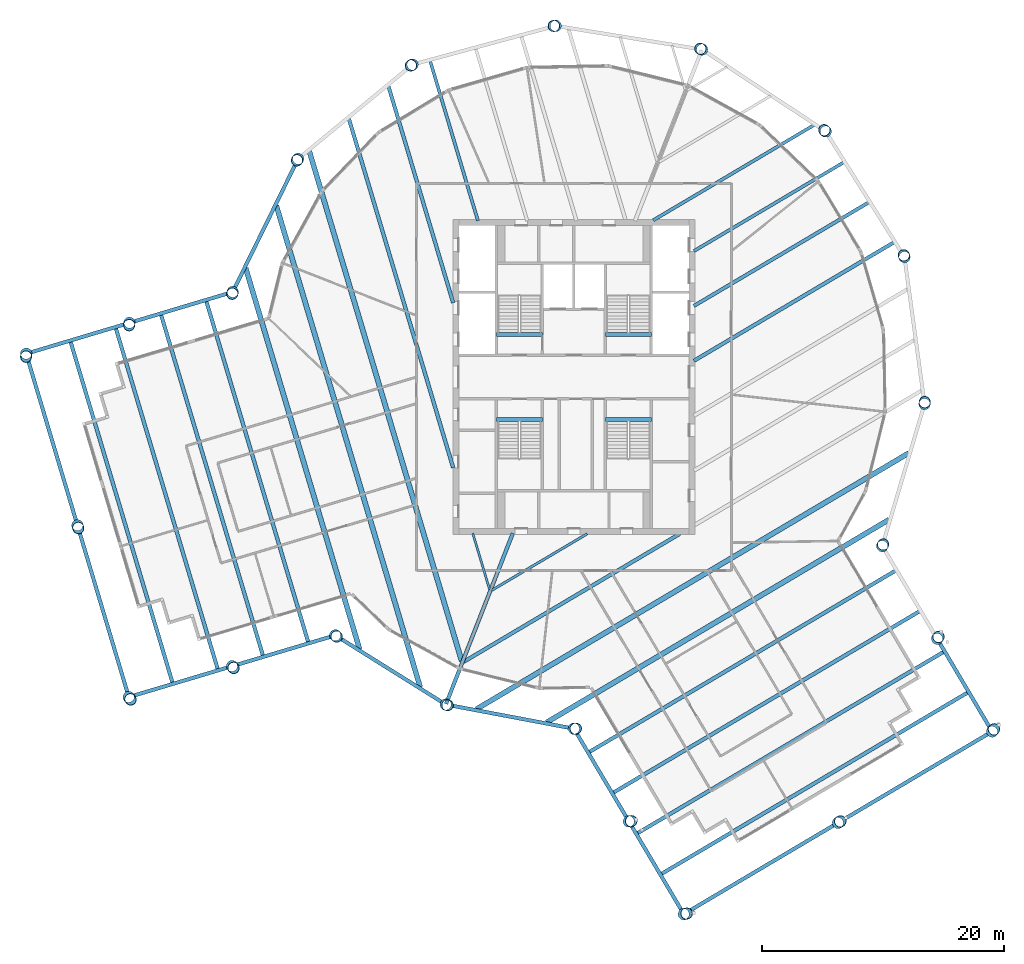
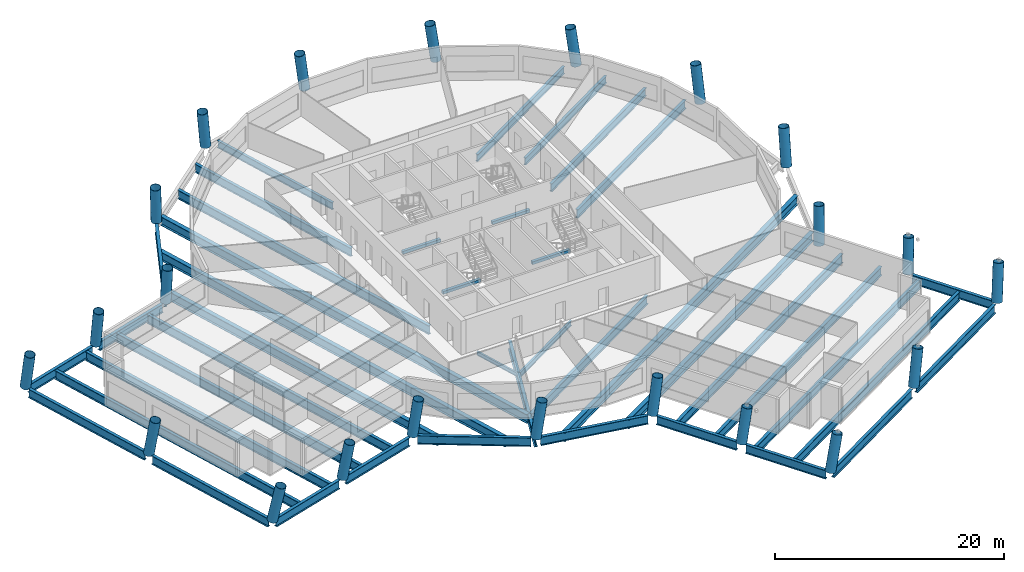
# One storey, part 1 of 11: 42 beams, 22 columns.
"""IFC4 building model written with IfcOpenShell, lengths in metres."""

import ifcopenshell
import ifcopenshell.guid

model = None  # the IFC model being written
_history = None  # IfcOwnerHistory: only IFC2X3 demands one
_inside = {}  # id of a spatial element -> (the spatial element, [elements in it])
_under = {}  # id of a project, library or spatial element -> (it, [spatial elements below it])
_declared = {}  # id of a project -> (the project, [libraries it declares])
_typed = {}  # id of a type object -> (the type object, [elements of that type])
_made_of = {}  # id of a material, layer set ... -> (it, [elements and type objects made of it])


def new_model(schema):
    """Start an empty IFC model of exactly this schema.

    Asked for "IFC4X3", IfcOpenShell would pick the latest addendum, in which some entities
    have other attributes; the version numbers below select the first issue.
    IFC2X3 requires an IfcOwnerHistory on every rooted entity: one is made here for all.
    """
    global model, _history
    if schema == "IFC4X3":
        model = ifcopenshell.file(schema_version=(4, 3, 0, 0))
    else:
        model = ifcopenshell.file(schema=schema)
    _inside.clear()
    _under.clear()
    _declared.clear()
    _typed.clear()
    _made_of.clear()
    _history = None
    if model.schema == "IFC2X3":
        org = make("IfcOrganization", Name="unknown")
        user = make(
            "IfcPersonAndOrganization",
            ThePerson=make("IfcPerson", FamilyName="unknown"),
            TheOrganization=org,
        )
        app = make(
            "IfcApplication",
            ApplicationDeveloper=org,
            Version="unknown",
            ApplicationFullName="unknown",
            ApplicationIdentifier="unknown",
        )
        _history = make(
            "IfcOwnerHistory",
            OwningUser=user,
            OwningApplication=app,
            ChangeAction="ADDED",
            CreationDate=0,
        )
    return model


def make(cls, **values):
    """One entity of the class cls with the attributes given. An attribute that is None is left unset."""
    return model.create_entity(
        cls, **{name: value for name, value in values.items() if value is not None}
    )


def rooted(cls, **values):
    """An entity with a GlobalId (a new one), such as an element, a storey or a relation."""
    return make(cls, GlobalId=ifcopenshell.guid.new(), OwnerHistory=_history, **values)


def si_unit(unit_type, name, prefix=None):
    """IfcSIUnit, for example si_unit("LENGTHUNIT", "METRE", prefix="MILLI")."""
    return make("IfcSIUnit", UnitType=unit_type, Prefix=prefix, Name=name)


def assignment(units):
    """IfcUnitAssignment: the units of a project."""
    return None if units is None else make("IfcUnitAssignment", Units=units)


def point(xyz):
    """IfcCartesianPoint."""
    return None if xyz is None else make("IfcCartesianPoint", Coordinates=xyz)


def direction(xyz):
    """IfcDirection."""
    return None if xyz is None else make("IfcDirection", DirectionRatios=xyz)


def frame(location, z_axis=None, x_axis=None):
    """IfcAxis2Placement3D, a coordinate frame: its origin and axes. An axis left out is left unset."""
    return make(
        "IfcAxis2Placement3D",
        Location=point(location),
        Axis=direction(z_axis),
        RefDirection=direction(x_axis),
    )


def frame_2d(location, x_axis=None):
    """IfcAxis2Placement2D, a coordinate frame in the plane: its origin and x axis."""
    return make(
        "IfcAxis2Placement2D", Location=point(location), RefDirection=direction(x_axis)
    )


def origin():
    """The frame at (0, 0, 0) with its axes left unset."""
    return frame((0.0, 0.0, 0.0))


def origin_2d():
    """The frame at (0, 0) in the plane with its x axis left unset."""
    return frame_2d((0.0, 0.0))


def place(relative_to, where):
    """IfcLocalPlacement: puts the frame where relative to a parent placement (None: the world)."""
    return make(
        "IfcLocalPlacement", PlacementRelTo=relative_to, RelativePlacement=where
    )


def context(
    kind, dimensions, precision=None, world=None, true_north=None, identifier=None
):
    """IfcGeometricRepresentationContext, for example the 3D "Model" context."""
    return make(
        "IfcGeometricRepresentationContext",
        ContextIdentifier=identifier,
        ContextType=kind,
        CoordinateSpaceDimension=dimensions,
        Precision=precision,
        WorldCoordinateSystem=world,
        TrueNorth=true_north,
    )


def subcontext(parent, identifier, kind, view, scale=None):
    """IfcGeometricRepresentationSubContext, for example "Body" below "Model"."""
    return make(
        "IfcGeometricRepresentationSubContext",
        ContextIdentifier=identifier,
        ContextType=kind,
        ParentContext=parent,
        TargetScale=scale,
        TargetView=view,
    )


def project(units=None, contexts=None):
    """IfcProject with its units and contexts."""
    return rooted(
        "IfcProject",
        Name="project",
        RepresentationContexts=contexts,
        UnitsInContext=assignment(units),
    )


def spatial(cls, under=None, at=None, **own):
    """A site, building, storey or space (cls), placed at a placement, below another one or the project."""
    s = rooted(cls, ObjectPlacement=at, **own)
    if under is not None:
        _under.setdefault(under.id(), (under, []))[1].append(s)
    return s


def profile(cls, at=None, kind="AREA", **sizes):
    """A parametric profile (cls). Its sizes go by their IFC names, for example OverallWidth=200.0."""
    return make(cls, ProfileType=kind, Position=at, **sizes)


def rectangle(**sizes):
    """IfcRectangleProfileDef."""
    return profile("IfcRectangleProfileDef", **sizes)


def hollow_circle(**sizes):
    """IfcCircleHollowProfileDef."""
    return profile("IfcCircleHollowProfileDef", **sizes)


def i_section(**sizes):
    """IfcIShapeProfileDef."""
    return profile("IfcIShapeProfileDef", **sizes)


def extrude(swept, where, along, depth):
    """IfcExtrudedAreaSolid: the profile swept, set in the frame where, extruded along a direction by depth."""
    return make(
        "IfcExtrudedAreaSolid",
        SweptArea=swept,
        Position=where,
        ExtrudedDirection=direction(along),
        Depth=depth,
    )


def shape(context_of_items, identifier, shape_type, items):
    """IfcShapeRepresentation: the items that make up one representation, for example the "Body"."""
    return make(
        "IfcShapeRepresentation",
        ContextOfItems=context_of_items,
        RepresentationIdentifier=identifier,
        RepresentationType=shape_type,
        Items=items,
    )


def material(Name=None, Category=None):
    """IfcMaterial."""
    return make("IfcMaterial", Name=Name, Category=Category)


def material_profile(
    of_material, cross_section, Name=None, Category=None, Priority=None
):
    """IfcMaterialProfile: a cross section and its material."""
    return make(
        "IfcMaterialProfile",
        Name=Name,
        Material=of_material,
        Profile=cross_section,
        Priority=Priority,
        Category=Category,
    )


def profile_set(profiles, Name=None, composite=None):
    """IfcMaterialProfileSet."""
    return make(
        "IfcMaterialProfileSet",
        Name=Name,
        MaterialProfiles=profiles,
        CompositeProfile=composite,
    )


def made_of(thing, what):
    """Note that an element or type object is made of a material, layer set ...; save() writes the relation."""
    if what is not None:
        _made_of.setdefault(what.id(), (what, []))[1].append(thing)
    return thing


def type_object(cls, material=None, **own):
    """A type object (cls), such as IfcWallType, which elements share."""
    return made_of(rooted(cls, **own), material)


def element(
    cls,
    number,
    at=None,
    inside=None,
    cuts=None,
    type_object=None,
    material=None,
    context=None,
    identifier="Body",
    shape_type=None,
    held_by="IfcProductDefinitionShape",
    body=None,
    shapes=None,
    **own,
):
    """One element of the class cls, such as IfcWall. Its Tag is "e" and its number.

    at: its placement. inside: the storey or other place that contains it. cuts: it is an
    opening in that element (IfcRelVoidsElement). A single representation is given by context,
    identifier, shape_type and body (its items); several are given by shapes. held_by: the class
    of the entity that holds the representations. save() writes the other relations.
    """
    e = rooted(cls, Tag="e%d" % number, ObjectPlacement=at, **own)
    if body is not None:
        shapes = [shape(context, identifier, shape_type, body)]
    if shapes is not None:
        e.Representation = make(held_by, Representations=shapes)
    if inside is not None:
        _inside.setdefault(inside.id(), (inside, []))[1].append(e)
    if cuts is not None:
        rooted(
            "IfcRelVoidsElement", RelatingBuildingElement=cuts, RelatedOpeningElement=e
        )
    if type_object is not None:
        _typed.setdefault(type_object.id(), (type_object, []))[1].append(e)
    return made_of(e, material)


def aggregate(whole, parts):
    """IfcRelAggregates: a whole, such as a stair, and the parts it consists of."""
    return rooted("IfcRelAggregates", RelatingObject=whole, RelatedObjects=parts)


def save(model, path):
    """Write the relations noted so far, then the file.

    IfcRelAggregates (storeys below a building ...), IfcRelContainedInSpatialStructure (elements
    in a storey), IfcRelDefinesByType, IfcRelAssociatesMaterial and IfcRelDeclares: one each for
    every whole, place, type object, material and project.
    """
    for whole, parts in _under.values():
        aggregate(whole, parts)
    for where, things in _inside.values():
        rooted(
            "IfcRelContainedInSpatialStructure",
            RelatedElements=things,
            RelatingStructure=where,
        )
    for kind, things in _typed.values():
        rooted("IfcRelDefinesByType", RelatedObjects=things, RelatingType=kind)
    for what, things in _made_of.values():
        rooted("IfcRelAssociatesMaterial", RelatedObjects=things, RelatingMaterial=what)
    for by, libraries in _declared.values():
        rooted("IfcRelDeclares", RelatingContext=by, RelatedDefinitions=libraries)
    model.write(path)


model = new_model("IFC4")

# Units and contexts
model_context = context("Model", 3, precision=1e-05, world=origin(), true_north=direction((0.0, 1.0)))
body_context = subcontext(model_context, "Body", "Model", "MODEL_VIEW")
ifc_project = project(units=[si_unit("LENGTHUNIT", "METRE"), si_unit("AREAUNIT", "SQUARE_METRE"), si_unit("VOLUMEUNIT", "CUBIC_METRE"), si_unit("PLANEANGLEUNIT", "RADIAN"), si_unit("MASSUNIT", "GRAM", prefix="KILO")], contexts=[model_context])

# Site, building, storey
site_placement = place(None, origin())
site = spatial("IfcSite", under=ifc_project, at=site_placement, CompositionType="ELEMENT")
building_placement = place(site_placement, origin())
building = spatial("IfcBuilding", under=site, at=building_placement, Name="Tarsis Ring Headquarters", CompositionType="ELEMENT")
storey_placement = place(building_placement, frame((0.0, 0.0, 350.89990234375)))
storey = spatial("IfcBuildingStorey", under=building, at=storey_placement, Name="L83", CompositionType="ELEMENT", Elevation=350.89990234375)

# Columns
ifc_material_1 = material(Name="Structural steel S355", Category="steel")
ifc_material_profile_1 = material_profile(ifc_material_1, hollow_circle(Radius=0.482666015625, WallThickness=0.0400390625, at=origin_2d()), Name="CHS 965x40")
ifc_profile_set_1 = profile_set([ifc_material_profile_1], Name="Structural steel S355")
column_type = type_object("IfcColumnType", Name="XC Exo column CHS 965x40", PredefinedType="COLUMN", material=ifc_profile_set_1)
for number, where, z_axis, x_axis, name in (
    (1, (-10.580078125, -27.05322265625, 0.001220703125), (0.125182025582, -0.047667620493, 0.990988021334), (0.355859916082, 0.934539309032, 0.0), "Exo column XC7 F1"),
    (2, (0.005126953125, -29.048583984375, 0.001220703125), (0.133967407747, 0.001246208444, 0.990984954793), (-0.009301923127, 0.999956736177, 0.0), "Exo column XC7 AK"),
):
    element("IfcColumn", number, at=place(storey_placement, frame(where, z_axis=z_axis, x_axis=x_axis)), inside=storey, type_object=column_type, Name=name, PredefinedType="COLUMN", context=body_context, shape_type="SweptSolid", body=[
        extrude(hollow_circle(Radius=0.482666015625, WallThickness=0.0400390625, at=origin_2d()), origin(), (0.0, 0.0, 1.0), 3.918212890625),
    ])
column_1_placement = place(storey_placement, frame((4.542236328125, -36.707763671875, 0.00146484375), z_axis=(0.16814436029, 0.022347449006, 0.985509038835), x_axis=(-0.131747815947, 0.991283265769, 0.0)))
element("IfcColumn", 3, at=column_1_placement, inside=storey, type_object=column_type, Name="Exo column XC7 AI1", PredefinedType="COLUMN", context=body_context, shape_type="SweptSolid", body=[
    extrude(hollow_circle(Radius=0.482666015625, WallThickness=0.0400390625, at=origin_2d()), origin(), (0.0, 0.0, 1.0), 3.626953125),
])
column_2_placement = place(storey_placement, frame((9.079345703125, -44.3671875, 0.001708984375), z_axis=(0.201656673633, 0.043193806924, 0.978503388355), x_axis=(-0.209444074579, 0.97782062753, 0.0)))
element("IfcColumn", 4, at=column_2_placement, inside=storey, type_object=column_type, Name="Exo column XC7 AT1", PredefinedType="COLUMN", context=body_context, shape_type="SweptSolid", body=[
    extrude(hollow_circle(Radius=0.482666015625, WallThickness=0.0400390625, at=origin_2d()), origin(), (0.0, 0.0, 1.0), 3.803955078125),
])
column_3_placement = place(storey_placement, frame((21.81298828125, -36.824462890625, 0.00146484375), z_axis=(0.167122756197, 0.101122776267, 0.98073654387), x_axis=(-0.517688506636, 0.855569173181, 0.0)))
element("IfcColumn", 5, at=column_3_placement, inside=storey, type_object=column_type, Name="Exo column XC7 AT2", PredefinedType="COLUMN", context=body_context, shape_type="SweptSolid", body=[
    extrude(hollow_circle(Radius=0.482666015625, WallThickness=0.0400390625, at=origin_2d()), origin(), (0.0, 0.0, 1.0), 3.795166015625),
])
column_4_placement = place(storey_placement, frame((34.546630859375, -29.281494140625, 0.001708984375), z_axis=(0.131892253729, 0.158527429056, 0.978505742264), x_axis=(-0.768731244189, 0.639571946076, 0.0)))
element("IfcColumn", 6, at=column_4_placement, inside=storey, type_object=column_type, Name="Exo column XC7 AT3", PredefinedType="COLUMN", context=body_context, shape_type="SweptSolid", body=[
    extrude(hollow_circle(Radius=0.482666015625, WallThickness=0.0400390625, at=origin_2d()), origin(), (0.0, 0.0, 1.0), 3.803955078125),
])
column_5_placement = place(storey_placement, frame((30.009521484375, -21.622314453125, 0.00146484375), z_axis=(0.097940809733, 0.138530141065, 0.985503423538), x_axis=(-0.816537681025, 0.577292140485, 0.0)))
element("IfcColumn", 7, at=column_5_placement, inside=storey, type_object=column_type, Name="Exo column XC7 AO1", PredefinedType="COLUMN", context=body_context, shape_type="SweptSolid", body=[
    extrude(hollow_circle(Radius=0.482666015625, WallThickness=0.0400390625, at=origin_2d()), origin(), (0.0, 0.0, 1.0), 3.524658203125),
])
for number, where, z_axis, x_axis, name in (
    (8, (25.47265625, -13.962890625, 0.001220703125), (0.063307807805, 0.118016720455, 0.990991511146), (-0.88121699644, 0.472711968523, 0.0), "Exo column XC7 AJ"),
    (9, (28.96337890625, -2.22216796875, 0.001220703125), (0.009034950867, 0.13371727283, 0.990978335086), (-0.997725098286, 0.067413857992, 0.0), "Exo column XC7 R1"),
    (10, (27.304443359375, 9.913818359375, 0.001220703125), (-0.046857180165, 0.125554811213, 0.990979512426), (-0.936882134744, -0.349645342594, 0.0), "Exo column XC7 R2"),
    (11, (20.79052734375, 20.287109375, 0.001220703125), (-0.094400665328, 0.095023772029, 0.990988898593), (-0.709428952109, -0.70477695898, 0.0), "Exo column XC7 R3"),
    (12, (10.580078125, 27.05322265625, 0.001220703125), (-0.125182025582, 0.047667620493, 0.990988021334), (-0.355859916082, -0.934539309032, 0.0), "Exo column XC7 R4"),
    (13, (-1.511474609375, 29.00927734375, 0.001220703125), (-0.133779403123, -0.00822490974, 0.99097700385), (0.061365267648, -0.99811537606, 0.0), "Exo column XC7 R5"),
    (14, (-13.33447265625, 25.80712890625, 0.001220703125), (-0.118452361654, -0.062559795424, 0.990987038268), (0.467011247211, -0.884251375446, 0.0), "Exo column XC7 R6"),
    (15, (-22.786376953125, 18.016357421875, 0.001220703125), (-0.082187436521, -0.105803083558, 0.990984829746), (0.789727721562, -0.613457517515, 0.0), "Exo column XC7 R7"),
    (16, (-28.18701171875, 7.0224609375, 0.001220703125), (-0.031155248542, -0.130291249403, 0.990986145623), (0.972581178778, -0.23256364868, 0.0), "Exo column XC7 BJ"),
):
    element("IfcColumn", number, at=place(storey_placement, frame(where, z_axis=z_axis, x_axis=x_axis)), inside=storey, type_object=column_type, Name=name, PredefinedType="COLUMN", context=body_context, shape_type="SweptSolid", body=[
        extrude(hollow_circle(Radius=0.482666015625, WallThickness=0.0400390625, at=origin_2d()), origin(), (0.0, 0.0, 1.0), 3.918212890625),
    ])
column_6_placement = place(storey_placement, frame((-36.71630859375, 4.47314453125, 0.00146484375), z_axis=(-0.018981770923, -0.168602788782, 0.985501289693), x_axis=(0.993722174052, -0.11187600635, 0.0)))
element("IfcColumn", 17, at=column_6_placement, inside=storey, type_object=column_type, Name="Exo column XC7 BO1", PredefinedType="COLUMN", context=body_context, shape_type="SweptSolid", body=[
    extrude(hollow_circle(Radius=0.482666015625, WallThickness=0.0400390625, at=origin_2d()), origin(), (0.0, 0.0, 1.0), 3.935791015625),
])
column_7_placement = place(storey_placement, frame((-45.245849609375, 1.923828125, 0.001708984375), z_axis=(-0.006844382357, -0.206133065045, 0.978500032665), x_axis=(0.999449212231, -0.033185421046, 0.0)))
element("IfcColumn", 18, at=column_7_placement, inside=storey, type_object=column_type, Name="Exo column XC7 BT3", PredefinedType="COLUMN", context=body_context, shape_type="SweptSolid", body=[
    extrude(hollow_circle(Radius=0.482666015625, WallThickness=0.0400390625, at=origin_2d()), origin(), (0.0, 0.0, 1.0), 3.95947265625),
])
column_8_placement = place(storey_placement, frame((-41.007568359375, -12.25634765625, 0.00146484375), z_axis=(0.057638886794, -0.186693157439, 0.980725967686), x_axis=(0.955498284638, 0.294996657699, 0.0)))
element("IfcColumn", 19, at=column_8_placement, inside=storey, type_object=column_type, Name="Exo column XC7 BT2", PredefinedType="COLUMN", context=body_context, shape_type="SweptSolid", body=[
    extrude(hollow_circle(Radius=0.482666015625, WallThickness=0.0400390625, at=origin_2d()), origin(), (0.0, 0.0, 1.0), 3.951904296875),
])
column_9_placement = place(storey_placement, frame((-36.769287109375, -26.4365234375, 0.001708984375), z_axis=(0.121904054204, -0.166361729005, 0.978500473526), x_axis=(0.806623552442, 0.591065516374, 0.0)))
element("IfcColumn", 20, at=column_9_placement, inside=storey, type_object=column_type, Name="Exo column XC7 BT1", PredefinedType="COLUMN", context=body_context, shape_type="SweptSolid", body=[
    extrude(hollow_circle(Radius=0.482666015625, WallThickness=0.0400390625, at=origin_2d()), origin(), (0.0, 0.0, 1.0), 3.95947265625),
])
column_10_placement = place(storey_placement, frame((-28.239990234375, -23.88720703125, 0.00146484375), z_axis=(0.110727370077, -0.128530594285, 0.985504609755), x_axis=(0.757628162351, 0.652686423647, 0.0)))
element("IfcColumn", 21, at=column_10_placement, inside=storey, type_object=column_type, Name="Exo column XC7 BI1", PredefinedType="COLUMN", context=body_context, shape_type="SweptSolid", body=[
    extrude(hollow_circle(Radius=0.482666015625, WallThickness=0.0400390625, at=origin_2d()), origin(), (0.0, 0.0, 1.0), 3.935791015625),
])
column_11_placement = place(storey_placement, frame((-19.710693359375, -21.337890625, 0.001220703125), z_axis=(0.099259968049, -0.090038075223, 0.990979618233), x_axis=(0.67186239856, 0.740675986786, 0.0)))
element("IfcColumn", 22, at=column_11_placement, inside=storey, type_object=column_type, Name="Exo column XC7 BK", PredefinedType="COLUMN", context=body_context, shape_type="SweptSolid", body=[
    extrude(hollow_circle(Radius=0.482666015625, WallThickness=0.0400390625, at=origin_2d()), origin(), (0.0, 0.0, 1.0), 3.918212890625),
])

# Beams
ifc_material_profile_2 = material_profile(ifc_material_1, i_section(OverallWidth=0.177734375, OverallDepth=0.406494140625, WebThickness=0.0078125, FlangeThickness=0.0126953125, at=origin_2d()), Name="W16x40")
ifc_profile_set_2 = profile_set([ifc_material_profile_2], Name="Structural steel S355")
beam_type_1 = type_object("IfcBeamType", Name="FB Floor beam W16x40", PredefinedType="JOIST", material=ifc_profile_set_2)
beam_1_placement = place(storey_placement, frame((-8.354736328125, -12.904296875, -0.363037109375), z_axis=(0.286396823855, -0.95811108922, 0.0), x_axis=(0.95811108922, 0.286396823855, 0.0)))
element("IfcBeam", 23, at=beam_1_placement, inside=storey, type_object=beam_type_1, Name="Floor beam FB1", PredefinedType="JOIST", context=body_context, shape_type="SweptSolid", body=[
    extrude(i_section(OverallWidth=0.177734375, OverallDepth=0.406494140625, WebThickness=0.0078125, FlangeThickness=0.0126953125, at=origin_2d()), origin(), (0.0, 0.0, 1.0), 4.852294921875),
])
ifc_material_profile_3 = material_profile(ifc_material_1, i_section(OverallWidth=0.209228515625, OverallDepth=0.533447265625, WebThickness=0.01025390625, FlangeThickness=0.015625, at=origin_2d()), Name="W21x62")
ifc_profile_set_3 = profile_set([ifc_material_profile_3], Name="Structural steel S355")
beam_type_2 = type_object("IfcBeamType", Name="FB Floor beam W21x62", PredefinedType="JOIST", material=ifc_profile_set_3)
beam_2_placement = place(storey_placement, frame((-6.791259765625, -17.621337890625, -0.426513671875), z_axis=(0.860378901552, 0.509654928126, 0.0), x_axis=(-0.509654928126, 0.860378901552, 0.0)))
element("IfcBeam", 24, at=beam_2_placement, inside=storey, type_object=beam_type_2, Name="Floor beam FB3", PredefinedType="JOIST", context=body_context, shape_type="SweptSolid", body=[
    extrude(i_section(OverallWidth=0.209228515625, OverallDepth=0.533447265625, WebThickness=0.01025390625, FlangeThickness=0.015625, at=origin_2d()), origin(), (0.0, 0.0, 1.0), 9.167724609375),
])
ifc_material_profile_4 = material_profile(ifc_material_1, i_section(OverallWidth=0.2666015625, OverallDepth=0.7568359375, WebThickness=0.013916015625, FlangeThickness=0.019287109375, at=origin_2d()), Name="W30x108")
ifc_profile_set_4 = profile_set([ifc_material_profile_4], Name="Structural steel S355")
beam_type_3 = type_object("IfcBeamType", Name="FB Floor beam W30x108", PredefinedType="JOIST", material=ifc_profile_set_4)
beam_3_placement = place(storey_placement, frame((6.555908203125, 12.948974609375, -0.538330078125), z_axis=(0.860381816983, 0.509650006382, 0.0), x_axis=(-0.509650006382, 0.860381816983, 0.0)))
element("IfcBeam", 25, at=beam_3_placement, inside=storey, type_object=beam_type_3, Name="Floor beam FB6", PredefinedType="JOIST", context=body_context, shape_type="SweptSolid", body=[
    extrude(i_section(OverallWidth=0.2666015625, OverallDepth=0.7568359375, WebThickness=0.013916015625, FlangeThickness=0.019287109375, at=origin_2d()), origin(), (0.0, 0.0, 1.0), 15.45947265625),
])
beam_4_placement = place(storey_placement, frame((9.9140625, 10.4052734375, -0.538330078125), z_axis=(0.860381200067, 0.509651047847, 0.0), x_axis=(-0.509651047847, 0.860381200067, 0.0)))
element("IfcBeam", 26, at=beam_4_placement, inside=storey, type_object=beam_type_3, Name="Floor beam FB6", PredefinedType="JOIST", context=body_context, shape_type="SweptSolid", body=[
    extrude(i_section(OverallWidth=0.2666015625, OverallDepth=0.7568359375, WebThickness=0.013916015625, FlangeThickness=0.019287109375, at=origin_2d()), origin(), (0.0, 0.0, 1.0), 14.416015625),
])
beam_5_placement = place(storey_placement, frame((-11.884033203125, 26.14306640625, -0.538330078125), z_axis=(0.286362157547, -0.958121450926, 0.0), x_axis=(0.958121450926, 0.286362157547, 0.0)))
element("IfcBeam", 27, at=beam_5_placement, inside=storey, type_object=beam_type_3, Name="Floor beam FB6", PredefinedType="JOIST", context=body_context, shape_type="SweptSolid", body=[
    extrude(i_section(OverallWidth=0.2666015625, OverallDepth=0.7568359375, WebThickness=0.013916015625, FlangeThickness=0.019287109375, at=origin_2d()), origin(), (0.0, 0.0, 1.0), 13.8173828125),
])
ifc_material_profile_5 = material_profile(ifc_material_1, i_section(OverallWidth=0.2919921875, OverallDepth=0.835693359375, WebThickness=0.013916015625, FlangeThickness=0.018798828125, at=origin_2d()), Name="W33x118")
ifc_profile_set_5 = profile_set([ifc_material_profile_5], Name="Structural steel S355")
beam_type_4 = type_object("IfcBeamType", Name="FB Floor beam W33x118", PredefinedType="JOIST", material=ifc_profile_set_5)
beam_6_placement = place(storey_placement, frame((9.9140625, 5.87255859375, -0.57763671875), z_axis=(0.860386494523, 0.509642109762, 0.0), x_axis=(-0.509642109762, 0.860386494523, 0.0)))
element("IfcBeam", 28, at=beam_6_placement, inside=storey, type_object=beam_type_4, Name="Floor beam FB7", PredefinedType="JOIST", context=body_context, shape_type="SweptSolid", body=[
    extrude(i_section(OverallWidth=0.2919921875, OverallDepth=0.835693359375, WebThickness=0.013916015625, FlangeThickness=0.018798828125, at=origin_2d()), origin(), (0.0, 0.0, 1.0), 16.827392578125),
])
ifc_material_profile_6 = material_profile(ifc_material_1, i_section(OverallWidth=0.3046875, OverallDepth=0.904296875, WebThickness=0.01513671875, FlangeThickness=0.02001953125, at=origin_2d()), Name="W36x135")
ifc_profile_set_6 = profile_set([ifc_material_profile_6], Name="Structural steel S355")
beam_type_5 = type_object("IfcBeamType", Name="FB Floor beam W36x135", PredefinedType="JOIST", material=ifc_profile_set_6)
beam_7_placement = place(storey_placement, frame((9.9140625, 1.339599609375, -0.612060546875), z_axis=(0.860384897304, 0.509644806204, 0.0), x_axis=(-0.509644806204, 0.860384897304, 0.0)))
element("IfcBeam", 29, at=beam_7_placement, inside=storey, type_object=beam_type_5, Name="Floor beam FB8", PredefinedType="JOIST", context=body_context, shape_type="SweptSolid", body=[
    extrude(i_section(OverallWidth=0.3046875, OverallDepth=0.904296875, WebThickness=0.01513671875, FlangeThickness=0.02001953125, at=origin_2d()), origin(), (0.0, 0.0, 1.0), 19.23876953125),
])
beam_8_placement = place(storey_placement, frame((-9.098388671875, -23.520751953125, -0.612060546875), z_axis=(0.860385961664, 0.509643009343, 0.0), x_axis=(-0.509643009343, 0.860385961664, 0.0)))
element("IfcBeam", 30, at=beam_8_placement, inside=storey, type_object=beam_type_5, Name="Floor beam FB8", PredefinedType="JOIST", context=body_context, shape_type="SweptSolid", body=[
    extrude(i_section(OverallWidth=0.3046875, OverallDepth=0.904296875, WebThickness=0.01513671875, FlangeThickness=0.02001953125, at=origin_2d()), origin(), (0.0, 0.0, 1.0), 20.743408203125),
])
beam_9_placement = place(storey_placement, frame((-15.33642578125, 24.07568359375, -0.612060546875), z_axis=(0.286350698308, -0.958124875775, 0.0), x_axis=(0.958124875775, 0.286350698308, 0.0)))
element("IfcBeam", 31, at=beam_9_placement, inside=storey, type_object=beam_type_5, Name="Floor beam FB8", PredefinedType="JOIST", context=body_context, shape_type="SweptSolid", body=[
    extrude(i_section(OverallWidth=0.3046875, OverallDepth=0.904296875, WebThickness=0.01513671875, FlangeThickness=0.02001953125, at=origin_2d()), origin(), (0.0, 0.0, 1.0), 18.73583984375),
])
ifc_material_profile_7 = material_profile(ifc_material_1, i_section(OverallWidth=0.309814453125, OverallDepth=0.949951171875, WebThickness=0.0244140625, FlangeThickness=0.0439453125, at=origin_2d()), Name="W36x256")
ifc_profile_set_7 = profile_set([ifc_material_profile_7], Name="Structural steel S355")
beam_type_6 = type_object("IfcBeamType", Name="FB Floor beam W36x256", PredefinedType="JOIST", material=ifc_profile_set_7)
for number, where, z_axis, x_axis, name in (
    (32, (1.226806640625, -31.003173828125, -0.635009765625), (0.860387266377, 0.509640806702, 0.0), (-0.509640806702, 0.860387266377, 0.0), "Floor beam FB11"),
    (33, (3.21435546875, -34.358642578125, -0.635009765625), (0.860387266377, 0.509640806702, 0.0), (-0.509640806702, 0.860387266377, 0.0), "Floor beam FB11"),
):
    element("IfcBeam", number, at=place(storey_placement, frame(where, z_axis=z_axis, x_axis=x_axis)), inside=storey, type_object=beam_type_6, Name=name, PredefinedType="JOIST", context=body_context, shape_type="SweptSolid", body=[
        extrude(i_section(OverallWidth=0.309814453125, OverallDepth=0.949951171875, WebThickness=0.0244140625, FlangeThickness=0.0439453125, at=origin_2d()), origin(), (0.0, 0.0, 1.0), 29.489990234375),
    ])
beam_10_placement = place(storey_placement, frame((5.201904296875, -37.71435546875, -0.635009765625), z_axis=(0.860385786522, 0.50964330502, 0.0), x_axis=(-0.50964330502, 0.860385786522, 0.0)))
element("IfcBeam", 34, at=beam_10_placement, inside=storey, type_object=beam_type_6, Name="Floor beam FB11", PredefinedType="JOIST", context=body_context, shape_type="SweptSolid", body=[
    extrude(i_section(OverallWidth=0.309814453125, OverallDepth=0.949951171875, WebThickness=0.0244140625, FlangeThickness=0.0439453125, at=origin_2d()), origin(), (0.0, 0.0, 1.0), 29.490234375),
])
beam_11_placement = place(storey_placement, frame((7.189697265625, -41.06982421875, -0.635009765625), z_axis=(0.860383636227, 0.509646935154, 0.0), x_axis=(-0.509646935154, 0.860383636227, 0.0)))
element("IfcBeam", 35, at=beam_11_placement, inside=storey, type_object=beam_type_6, Name="Floor beam FB11", PredefinedType="JOIST", context=body_context, shape_type="SweptSolid", body=[
    extrude(i_section(OverallWidth=0.309814453125, OverallDepth=0.949951171875, WebThickness=0.0244140625, FlangeThickness=0.0439453125, at=origin_2d()), origin(), (0.0, 0.0, 1.0), 29.489990234375),
])
beam_12_placement = place(storey_placement, frame((-18.602294921875, 21.3837890625, -0.635009765625), z_axis=(0.286351207088, -0.958124723718, 0.0), x_axis=(0.958124723718, 0.286351207088, 0.0)))
element("IfcBeam", 36, at=beam_12_placement, inside=storey, type_object=beam_type_6, Name="Floor beam FB11", PredefinedType="JOIST", context=body_context, shape_type="SweptSolid", body=[
    extrude(i_section(OverallWidth=0.309814453125, OverallDepth=0.949951171875, WebThickness=0.0244140625, FlangeThickness=0.0439453125, at=origin_2d()), origin(), (0.0, 0.0, 1.0), 30.140869140625),
])
beam_13_placement = place(storey_placement, frame((-30.379150390625, 6.31005859375, -0.635009765625), z_axis=(0.286361121689, -0.958121760522, 0.0), x_axis=(0.958121760522, 0.286361121689, 0.0)))
element("IfcBeam", 37, at=beam_13_placement, inside=storey, type_object=beam_type_6, Name="Floor beam FB11", PredefinedType="JOIST", context=body_context, shape_type="SweptSolid", body=[
    extrude(i_section(OverallWidth=0.309814453125, OverallDepth=0.949951171875, WebThickness=0.0244140625, FlangeThickness=0.0439453125, at=origin_2d()), origin(), (0.0, 0.0, 1.0), 29.490234375),
])
beam_14_placement = place(storey_placement, frame((-34.11572265625, 5.193115234375, -0.635009765625), z_axis=(0.286353521814, -0.958124031921, 0.0), x_axis=(0.958124031921, 0.286353521814, 0.0)))
element("IfcBeam", 38, at=beam_14_placement, inside=storey, type_object=beam_type_6, Name="Floor beam FB11", PredefinedType="JOIST", context=body_context, shape_type="SweptSolid", body=[
    extrude(i_section(OverallWidth=0.309814453125, OverallDepth=0.949951171875, WebThickness=0.0244140625, FlangeThickness=0.0439453125, at=origin_2d()), origin(), (0.0, 0.0, 1.0), 29.489990234375),
])
beam_15_placement = place(storey_placement, frame((-37.8525390625, 4.076416015625, -0.635009765625), z_axis=(0.286361121689, -0.958121760522, 0.0), x_axis=(0.958121760522, 0.286361121689, 0.0)))
element("IfcBeam", 39, at=beam_15_placement, inside=storey, type_object=beam_type_6, Name="Floor beam FB11", PredefinedType="JOIST", context=body_context, shape_type="SweptSolid", body=[
    extrude(i_section(OverallWidth=0.309814453125, OverallDepth=0.949951171875, WebThickness=0.0244140625, FlangeThickness=0.0439453125, at=origin_2d()), origin(), (0.0, 0.0, 1.0), 29.490234375),
])
beam_16_placement = place(storey_placement, frame((-41.589111328125, 2.959716796875, -0.635009765625), z_axis=(0.286353521814, -0.958124031921, 0.0), x_axis=(0.958124031921, 0.286353521814, 0.0)))
element("IfcBeam", 40, at=beam_16_placement, inside=storey, type_object=beam_type_6, Name="Floor beam FB11", PredefinedType="JOIST", context=body_context, shape_type="SweptSolid", body=[
    extrude(i_section(OverallWidth=0.309814453125, OverallDepth=0.949951171875, WebThickness=0.0244140625, FlangeThickness=0.0439453125, at=origin_2d()), origin(), (0.0, 0.0, 1.0), 29.489990234375),
])
beam_type_7 = type_object("IfcBeamType", Name="FB Floor beam W36x256 spine", PredefinedType="BEAM", material=ifc_profile_set_7)
beam_17_placement = place(storey_placement, frame((-5.0478515625, -12.906982421875, -0.635009765625), z_axis=(-0.364227791722, -0.931309892429, 0.0), x_axis=(0.931309892429, -0.364227791722, 0.0)))
element("IfcBeam", 41, at=beam_17_placement, inside=storey, type_object=beam_type_7, Name="Floor beam SB11", PredefinedType="BEAM", context=body_context, shape_type="SweptSolid", body=[
    extrude(i_section(OverallWidth=0.309814453125, OverallDepth=0.949951171875, WebThickness=0.0244140625, FlangeThickness=0.0439453125, at=origin_2d()), origin(), (0.0, 0.0, 1.0), 15.1318359375),
])
ifc_material_profile_8 = material_profile(ifc_material_1, i_section(OverallWidth=0.42431640625, OverallDepth=0.947509765625, WebThickness=0.02392578125, FlangeThickness=0.042724609375, at=origin_2d()), Name="W36x302")
ifc_profile_set_8 = profile_set([ifc_material_profile_8], Name="Structural steel S355")
beam_type_8 = type_object("IfcBeamType", Name="FB Floor beam W36x302", PredefinedType="JOIST", material=ifc_profile_set_8)
beam_18_placement = place(storey_placement, frame((-8.05908203125, -27.43798828125, -0.633544921875), z_axis=(0.860385973267, 0.509642989755, 0.0), x_axis=(-0.509642989755, 0.860385973267, 0.0)))
element("IfcBeam", 42, at=beam_18_placement, inside=storey, type_object=beam_type_8, Name="Floor beam FB12", PredefinedType="JOIST", context=body_context, shape_type="SweptSolid", body=[
    extrude(i_section(OverallWidth=0.42431640625, OverallDepth=0.947509765625, WebThickness=0.02392578125, FlangeThickness=0.042724609375, at=origin_2d()), origin(), (0.0, 0.0, 1.0), 41.52392578125),
])
beam_19_placement = place(storey_placement, frame((-2.25390625, -28.5322265625, -0.633544921875), z_axis=(0.860385972043, 0.509642991821, 0.0), x_axis=(-0.509642991821, 0.860385972043, 0.0)))
element("IfcBeam", 43, at=beam_19_placement, inside=storey, type_object=beam_type_8, Name="Floor beam FB12", PredefinedType="JOIST", context=body_context, shape_type="SweptSolid", body=[
    extrude(i_section(OverallWidth=0.42431640625, OverallDepth=0.947509765625, WebThickness=0.02392578125, FlangeThickness=0.042724609375, at=origin_2d()), origin(), (0.0, 0.0, 1.0), 32.875244140625),
])
beam_20_placement = place(storey_placement, frame((-21.868408203125, 18.69189453125, -0.633544921875), z_axis=(0.28635733195, -0.958122893181, 0.0), x_axis=(0.958122893181, 0.28635733195, 0.0)))
element("IfcBeam", 44, at=beam_20_placement, inside=storey, type_object=beam_type_8, Name="Floor beam FB12", PredefinedType="JOIST", context=body_context, shape_type="SweptSolid", body=[
    extrude(i_section(OverallWidth=0.42431640625, OverallDepth=0.947509765625, WebThickness=0.02392578125, FlangeThickness=0.042724609375, at=origin_2d()), origin(), (0.0, 0.0, 1.0), 43.98681640625),
])
beam_21_placement = place(storey_placement, frame((-24.584228515625, 14.159423828125, -0.633544921875), z_axis=(0.28635684147, -0.958123039773, 0.0), x_axis=(0.958123039773, 0.28635684147, 0.0)))
element("IfcBeam", 45, at=beam_21_placement, inside=storey, type_object=beam_type_8, Name="Floor beam FB12", PredefinedType="JOIST", context=body_context, shape_type="SweptSolid", body=[
    extrude(i_section(OverallWidth=0.42431640625, OverallDepth=0.947509765625, WebThickness=0.02392578125, FlangeThickness=0.042724609375, at=origin_2d()), origin(), (0.0, 0.0, 1.0), 41.523681640625),
])
beam_22_placement = place(storey_placement, frame((-27.114990234375, 9.007568359375, -0.633544921875), z_axis=(0.286361887629, -0.958121531599, 0.0), x_axis=(0.958121531599, 0.286361887629, 0.0)))
element("IfcBeam", 46, at=beam_22_placement, inside=storey, type_object=beam_type_8, Name="Floor beam FB12", PredefinedType="JOIST", context=body_context, shape_type="SweptSolid", body=[
    extrude(i_section(OverallWidth=0.42431640625, OverallDepth=0.947509765625, WebThickness=0.02392578125, FlangeThickness=0.042724609375, at=origin_2d()), origin(), (0.0, 0.0, 1.0), 32.87548828125),
])
ifc_material_2 = material(Name="Concrete C40/50", Category="concrete")
ifc_material_profile_9 = material_profile(ifc_material_2, rectangle(XDim=0.300048828125, YDim=0.300048828125, at=origin_2d()), Name="Stair head beam 300x300 C40/50")
ifc_profile_set_9 = profile_set([ifc_material_profile_9], Name="Concrete C40/50")
beam_type_9 = type_object("IfcBeamType", Name="Stair head beam 300x300 C40/50", PredefinedType="BEAM", material=ifc_profile_set_9)
for number, where, z_axis, x_axis, name in (
    (47, (-6.39990234375, 3.510009765625, -0.309814453125), (1.0, 0.0, 0.0), (0.0, 1.0, 0.0), "Stair head beam L83 Firefighting stair"),
    (48, (2.60009765625, 3.510009765625, -0.309814453125), (1.0, 0.0, 0.0), (0.0, 1.0, 0.0), "Stair head beam L83 Exit stair B"),
    (49, (-6.39990234375, -3.510009765625, -0.309814453125), (1.0, 0.0, 0.0), (0.0, 1.0, 0.0), "Stair head beam L83 Exit stair C"),
    (50, (2.60009765625, -3.510009765625, -0.309814453125), (1.0, 0.0, 0.0), (0.0, 1.0, 0.0), "Stair head beam L83 Exit stair D"),
):
    element("IfcBeam", number, at=place(storey_placement, frame(where, z_axis=z_axis, x_axis=x_axis)), inside=storey, type_object=beam_type_9, Name=name, PredefinedType="BEAM", context=body_context, shape_type="SweptSolid", body=[
        extrude(rectangle(XDim=0.300048828125, YDim=0.300048828125, at=origin_2d()), origin(), (0.0, 0.0, 1.0), 3.7998046875),
    ])
ifc_material_profile_10 = material_profile(ifc_material_1, i_section(OverallWidth=0.309814453125, OverallDepth=0.93212890625, WebThickness=0.02099609375, FlangeThickness=0.034423828125, at=origin_2d()), Name="W36x210")
ifc_profile_set_10 = profile_set([ifc_material_profile_10], Name="Structural steel S355")
beam_type_10 = type_object("IfcBeamType", Name="XG Ring girder W36x210", PredefinedType="BEAM", material=ifc_profile_set_10)
beam_23_placement = place(storey_placement, frame((-10.1533203125, -27.133544921875, -0.466064453125), z_axis=(0.98269198086, -0.185247053291, 0.0), x_axis=(0.185247053291, 0.98269198086, 0.0)))
element("IfcBeam", 51, at=beam_23_placement, inside=storey, type_object=beam_type_10, Name="Ring girder XG3", PredefinedType="BEAM", context=body_context, shape_type="SweptSolid", body=[
    extrude(i_section(OverallWidth=0.309814453125, OverallDepth=0.93212890625, WebThickness=0.02099609375, FlangeThickness=0.034423828125, at=origin_2d()), origin(), (0.0, 0.0, 1.0), 9.90283203125),
])
for number, where, z_axis, x_axis, name in (
    (52, (0.226318359375, -29.422119140625, -0.466064453125), (0.509634111466, -0.86039123219, 0.0), (0.86039123219, 0.509634111466, 0.0), "Ring girder XG3"),
    (53, (4.763427734375, -37.08154296875, -0.466064453125), (0.509634111466, -0.86039123219, 0.0), (0.86039123219, 0.509634111466, 0.0), "Ring girder XG3"),
):
    element("IfcBeam", number, at=place(storey_placement, frame(where, z_axis=z_axis, x_axis=x_axis)), inside=storey, type_object=beam_type_10, Name=name, PredefinedType="BEAM", context=body_context, shape_type="SweptSolid", body=[
        extrude(i_section(OverallWidth=0.309814453125, OverallDepth=0.93212890625, WebThickness=0.02099609375, FlangeThickness=0.034423828125, at=origin_2d()), origin(), (0.0, 0.0, 1.0), 8.03369140625),
    ])
for number, where, z_axis, x_axis, name in (
    (54, (9.45263671875, -44.14599609375, -0.466064453125), (0.860383180905, 0.509647703827, 0.0), (-0.509647703827, 0.860383180905, 0.0), "Ring girder XG3"),
    (55, (22.186279296875, -36.603271484375, -0.466064453125), (0.860383180905, 0.509647703827, 0.0), (-0.509647703827, 0.860383180905, 0.0), "Ring girder XG3"),
):
    element("IfcBeam", number, at=place(storey_placement, frame(where, z_axis=z_axis, x_axis=x_axis)), inside=storey, type_object=beam_type_10, Name=name, PredefinedType="BEAM", context=body_context, shape_type="SweptSolid", body=[
        extrude(i_section(OverallWidth=0.309814453125, OverallDepth=0.93212890625, WebThickness=0.02099609375, FlangeThickness=0.034423828125, at=origin_2d()), origin(), (0.0, 0.0, 1.0), 13.931396484375),
    ])
beam_24_placement = place(storey_placement, frame((34.324951171875, -28.908203125, -0.466064453125), z_axis=(-0.509634111466, 0.86039123219, 0.0), x_axis=(-0.86039123219, -0.509634111466, 0.0)))
element("IfcBeam", 56, at=beam_24_placement, inside=storey, type_object=beam_type_10, Name="Ring girder XG3", PredefinedType="BEAM", context=body_context, shape_type="SweptSolid", body=[
    extrude(i_section(OverallWidth=0.309814453125, OverallDepth=0.93212890625, WebThickness=0.02099609375, FlangeThickness=0.034423828125, at=origin_2d()), origin(), (0.0, 0.0, 1.0), 8.03369140625),
])
beam_25_placement = place(storey_placement, frame((-22.977783203125, 17.626708984375, -0.466064453125), z_axis=(-0.440903879653, -0.897554326437, 0.0), x_axis=(0.897554326437, -0.440903879653, 0.0)))
element("IfcBeam", 57, at=beam_25_placement, inside=storey, type_object=beam_type_10, Name="Ring girder XG3", PredefinedType="BEAM", context=body_context, shape_type="SweptSolid", body=[
    extrude(i_section(OverallWidth=0.309814453125, OverallDepth=0.93212890625, WebThickness=0.02099609375, FlangeThickness=0.034423828125, at=origin_2d()), origin(), (0.0, 0.0, 1.0), 11.380126953125),
])
for number, where, z_axis, x_axis, name in (
    (58, (-28.60302734375, 6.898193359375, -0.466064453125), (-0.958119373651, -0.286369107683, 0.0), (0.286369107683, -0.958119373651, 0.0), "Ring girder XG3"),
    (59, (-37.132568359375, 4.348876953125, -0.466064453125), (-0.958127711718, -0.286341209116, 0.0), (0.286341209116, -0.958127711718, 0.0), "Ring girder XG3"),
):
    element("IfcBeam", number, at=place(storey_placement, frame(where, z_axis=z_axis, x_axis=x_axis)), inside=storey, type_object=beam_type_10, Name=name, PredefinedType="BEAM", context=body_context, shape_type="SweptSolid", body=[
        extrude(i_section(OverallWidth=0.309814453125, OverallDepth=0.93212890625, WebThickness=0.02099609375, FlangeThickness=0.034423828125, at=origin_2d()), origin(), (0.0, 0.0, 1.0), 8.033447265625),
    ])
for number, where, z_axis, x_axis, name in (
    (60, (-45.121337890625, 1.508056640625, -0.466064453125), (0.286352524164, -0.958124330087, 0.0), (0.958124330087, 0.286352524164, 0.0), "Ring girder XG3"),
    (61, (-40.88330078125, -12.67236328125, -0.466064453125), (0.286352524164, -0.958124330087, 0.0), (0.958124330087, 0.286352524164, 0.0), "Ring girder XG3"),
):
    element("IfcBeam", number, at=place(storey_placement, frame(where, z_axis=z_axis, x_axis=x_axis)), inside=storey, type_object=beam_type_10, Name=name, PredefinedType="BEAM", context=body_context, shape_type="SweptSolid", body=[
        extrude(i_section(OverallWidth=0.309814453125, OverallDepth=0.93212890625, WebThickness=0.02099609375, FlangeThickness=0.034423828125, at=origin_2d()), origin(), (0.0, 0.0, 1.0), 13.931396484375),
    ])
beam_26_placement = place(storey_placement, frame((-36.353515625, -26.31201171875, -0.466064453125), z_axis=(0.958121865779, 0.286360769514, 0.0), x_axis=(-0.286360769514, 0.958121865779, 0.0)))
element("IfcBeam", 62, at=beam_26_placement, inside=storey, type_object=beam_type_10, Name="Ring girder XG3", PredefinedType="BEAM", context=body_context, shape_type="SweptSolid", body=[
    extrude(i_section(OverallWidth=0.309814453125, OverallDepth=0.93212890625, WebThickness=0.02099609375, FlangeThickness=0.034423828125, at=origin_2d()), origin(), (0.0, 0.0, 1.0), 8.03369140625),
])
beam_27_placement = place(storey_placement, frame((-27.823974609375, -23.7626953125, -0.466064453125), z_axis=(0.958119373651, 0.286369107683, 0.0), x_axis=(-0.286369107683, 0.958119373651, 0.0)))
element("IfcBeam", 63, at=beam_27_placement, inside=storey, type_object=beam_type_10, Name="Ring girder XG3", PredefinedType="BEAM", context=body_context, shape_type="SweptSolid", body=[
    extrude(i_section(OverallWidth=0.309814453125, OverallDepth=0.93212890625, WebThickness=0.02099609375, FlangeThickness=0.034423828125, at=origin_2d()), origin(), (0.0, 0.0, 1.0), 8.033447265625),
])
beam_28_placement = place(storey_placement, frame((-19.342529296875, -21.568359375, -0.466064453125), z_axis=(0.84762968468, -0.530588275077, 0.0), x_axis=(0.530588275077, 0.84762968468, 0.0)))
element("IfcBeam", 64, at=beam_28_placement, inside=storey, type_object=beam_type_10, Name="Ring girder XG3", PredefinedType="BEAM", context=body_context, shape_type="SweptSolid", body=[
    extrude(i_section(OverallWidth=0.309814453125, OverallDepth=0.93212890625, WebThickness=0.02099609375, FlangeThickness=0.034423828125, at=origin_2d()), origin(), (0.0, 0.0, 1.0), 9.903076171875),
])

save(model, "model.ifc")
